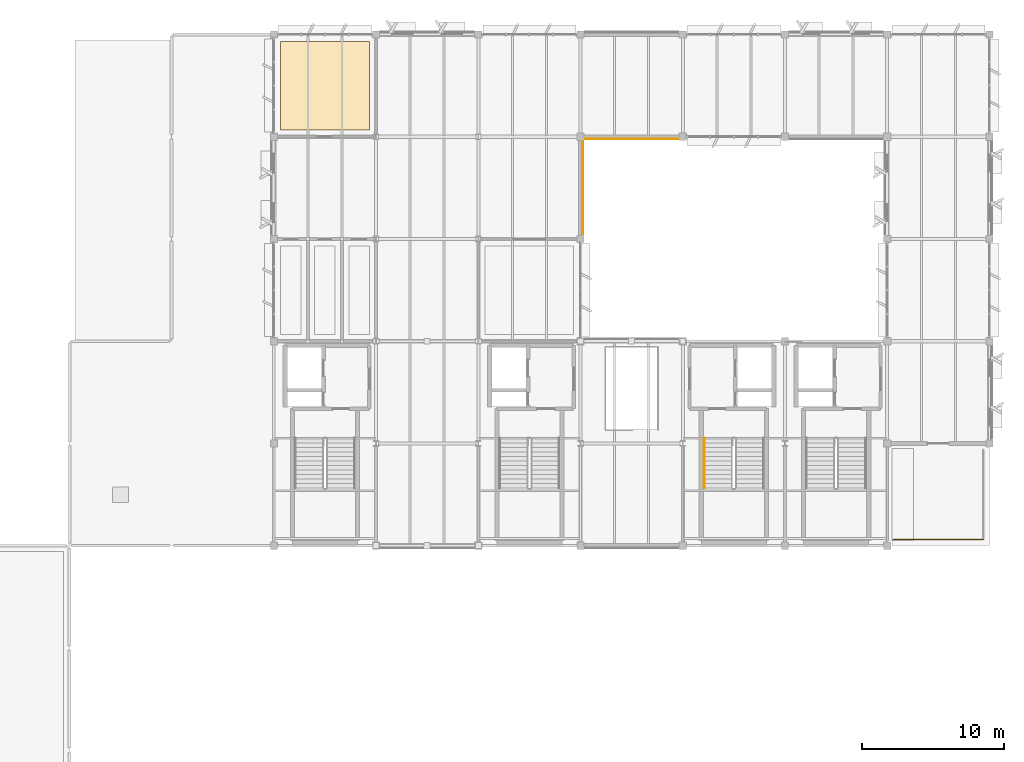
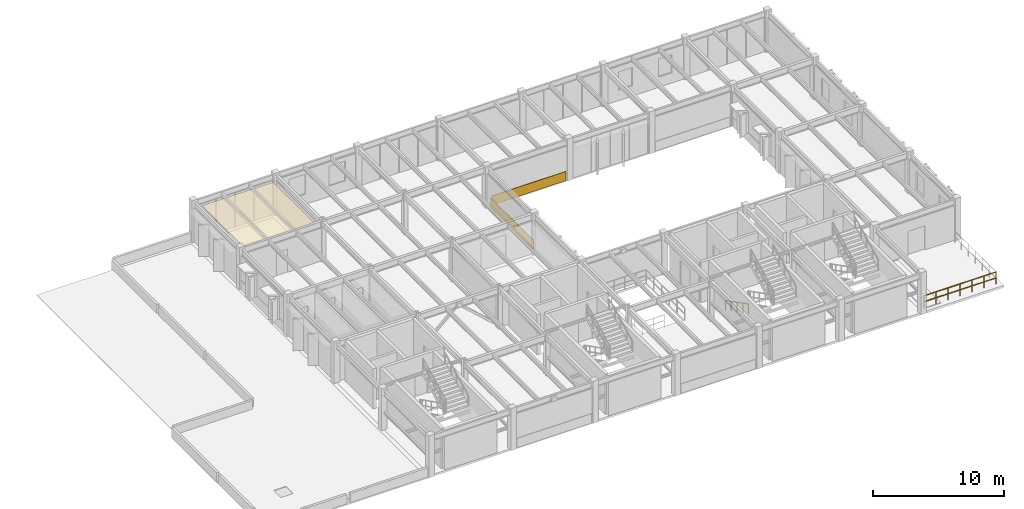
# One storey, part 21 of 23: 3 coverings, 2 railings.
"""IFC4 building model written with IfcOpenShell, lengths in metres."""

from ifc_helpers import new_model, si_unit, direction, frame, frame_2d, origin, origin_2d, place, context, subcontext, project, spatial, polyline, rectangle, circle, outline, extrude, material, layer, layer_set, type_object, element, save


model = new_model("IFC4")

# Units and contexts
model_context = context("Model", 3, precision=1e-05, world=origin(), true_north=direction((0.0, 1.0)))
body_context = subcontext(model_context, "Body", "Model", "MODEL_VIEW")
ifc_project = project(units=[si_unit("LENGTHUNIT", "METRE"), si_unit("AREAUNIT", "SQUARE_METRE"), si_unit("VOLUMEUNIT", "CUBIC_METRE"), si_unit("PLANEANGLEUNIT", "RADIAN"), si_unit("MASSUNIT", "GRAM", prefix="KILO")], contexts=[model_context])

# Site, building, storey
site_placement = place(None, origin())
site = spatial("IfcSite", under=ifc_project, at=site_placement, CompositionType="ELEMENT")
building_placement = place(site_placement, origin())
building = spatial("IfcBuilding", under=site, at=building_placement, Name="Sillqori Civic Hall", CompositionType="ELEMENT")
storey_placement = place(building_placement, frame((0.0, 0.0, 21.89990234375)))
storey = spatial("IfcBuildingStorey", under=building, at=storey_placement, Name="L06", CompositionType="ELEMENT", Elevation=21.89990234375)

# Coverings
ifc_material_1 = material(Name="Andean Cedar Slatted Baffle 46", Category="timber")
ifc_layer_1 = layer(ifc_material_1, 0.0458984375)
ifc_layer_set_1 = layer_set([ifc_layer_1], Name="Andean Cedar Slatted Baffle 46")
covering_type_1 = type_object("IfcCoveringType", Name="COV-CEIL-T46", PredefinedType="CEILING", material=ifc_layer_set_1)
covering_placement = place(storey_placement, frame((0.0, 0.0, 3.280029296875)))
element("IfcCovering", 1, at=covering_placement, inside=storey, type_object=covering_type_1, Name="Mayoral Executive Office Suite acoustic ceiling", PredefinedType="CEILING", context=body_context, shape_type="SweptSolid", body=[
    extrude(outline(polyline([(50.8798828125, 108.47998046875), (57.1201171875, 108.47998046875), (57.1201171875, 114.719970703125), (50.8798828125, 114.719970703125), (50.8798828125, 108.47998046875)])), origin(), (0.0, 0.0, 1.0), 0.046142578125),
])
ifc_material_2 = material(Name="Cochabamba Honed Limestone Cladding", Category="masonry")
ifc_layer_2 = layer(ifc_material_2, 0.044921875)
ifc_layer_set_2 = layer_set([ifc_layer_2], Name="Cochabamba Honed Limestone Cladding")
covering_type_2 = type_object("IfcCoveringType", Name="COV-CLAD-LIME", PredefinedType="CLADDING", material=ifc_layer_set_2)
for number, where, z_axis, x_axis, name in (
    (2, (72.159912109375, 107.669921875, 0.0400390625), (0.0, 0.0, 1.0), (0.0, -1.0, 0.0), "L06 limestone spandrel cladding L06-09-14-E"),
    (3, (78.8701171875, 107.840087890625, 0.0400390625), (0.0, 0.0, 1.0), (-1.0, 0.0, 0.0), "L06 limestone spandrel cladding L06-10-15-S"),
):
    element("IfcCovering", number, at=place(storey_placement, frame(where, z_axis=z_axis, x_axis=x_axis)), inside=storey, type_object=covering_type_2, Name=name, PredefinedType="CLADDING", context=body_context, shape_type="SweptSolid", body=[
        extrude(rectangle(XDim=6.5400390625, YDim=0.044921875, at=frame_2d((3.27001953125, 0.0))), origin(), (0.0, 0.0, 1.0), 0.860107421875),
    ])

# Railings
ifc_material_3 = material(Name="Architectural Bronze and Tempered Glass Balustrade", Category="glass")
ifc_layer_3 = layer(ifc_material_3, 0.080078125)
ifc_layer_set_3 = layer_set([ifc_layer_3], Name="Architectural Bronze and Tempered Glass Balustrade")
railing_type_1 = type_object("IfcRailingType", Name="RLG-BALU-115", PredefinedType="BALUSTRADE", material=ifc_layer_set_3)
railing_1_placement = place(storey_placement, frame((94.0400390625, 79.639892578125, 0.0)))
element("IfcRailing", 4, at=railing_1_placement, inside=storey, type_object=railing_type_1, Name="Mayoral East Setback Terrace perimeter guard S-01", PredefinedType="BALUSTRADE", context=body_context, shape_type="SweptSolid", body=[
    extrude(circle(Radius=0.02392578125, at=origin_2d()), frame((0.0, 0.0, 1.1259765625), z_axis=(1.0, 0.0, 0.0), x_axis=(0.0, 1.0, 0.0)), (0.0, 0.0, 1.0), 6.320068359375),
    extrude(circle(Radius=0.02392578125, at=origin_2d()), frame((0.0, 0.0, 0.574951171875), z_axis=(1.0, 0.0, 0.0), x_axis=(0.0, 1.0, 0.0)), (0.0, 0.0, 1.0), 6.320068359375),
    extrude(circle(Radius=0.02099609375, at=origin_2d()), origin(), (0.0, 0.0, 1.0), 1.101806640625),
    extrude(circle(Radius=0.02099609375, at=origin_2d()), frame((1.05322265625, 0.0, 0.0)), (0.0, 0.0, 1.0), 1.101806640625),
    extrude(circle(Radius=0.02099609375, at=origin_2d()), frame((2.106689453125, 0.0, 0.0)), (0.0, 0.0, 1.0), 1.101806640625),
    extrude(circle(Radius=0.02099609375, at=origin_2d()), frame((3.16015625, 0.0, 0.0)), (0.0, 0.0, 1.0), 1.101806640625),
    extrude(circle(Radius=0.02099609375, at=origin_2d()), frame((4.21337890625, 0.0, 0.0)), (0.0, 0.0, 1.0), 1.101806640625),
    extrude(circle(Radius=0.02099609375, at=origin_2d()), frame((5.2666015625, 0.0, 0.0)), (0.0, 0.0, 1.0), 1.101806640625),
    extrude(circle(Radius=0.02099609375, at=origin_2d()), frame((6.320068359375, 0.0, 0.0)), (0.0, 0.0, 1.0), 1.101806640625),
])
ifc_material_4 = material(Name="Brushed Stainless Steel 316 Handrail", Category="steel")
ifc_layer_4 = layer(ifc_material_4, 0.044921875)
ifc_layer_set_4 = layer_set([ifc_layer_4], Name="Brushed Stainless Steel 316 Handrail")
railing_type_2 = type_object("IfcRailingType", Name="RLG-CORE-092", PredefinedType="HANDRAIL", material=ifc_layer_set_4)
railing_2_placement = place(storey_placement, frame((80.7099609375, 86.77001953125, 0.16259765625)))
element("IfcRailing", 5, at=railing_2_placement, inside=storey, type_object=railing_type_2, Name="L06 ST-07 stair handrail 1", PredefinedType="HANDRAIL", context=body_context, shape_type="SweptSolid", body=[
    extrude(circle(Radius=0.02392578125, at=origin_2d()), frame((0.0, 0.0, 0.8759765625), z_axis=(0.0, -0.891614535321, 0.452795230103), x_axis=(1.0, 0.0, 0.0)), (0.0, 0.0, 1.0), 3.947998046875),
    extrude(circle(Radius=0.02099609375, at=origin_2d()), origin(), (0.0, 0.0, 1.0), 0.851806640625),
    extrude(circle(Radius=0.02099609375, at=origin_2d()), frame((0.0, -0.8798828125, 0.44677734375)), (0.0, 0.0, 1.0), 0.851806640625),
    extrude(circle(Radius=0.02099609375, at=origin_2d()), frame((0.0, -1.760009765625, 0.893798828125)), (0.0, 0.0, 1.0), 0.851806640625),
    extrude(circle(Radius=0.02099609375, at=origin_2d()), frame((0.0, -2.64013671875, 1.3408203125)), (0.0, 0.0, 1.0), 0.851806640625),
    extrude(circle(Radius=0.02099609375, at=origin_2d()), frame((0.0, -3.52001953125, 1.78759765625)), (0.0, 0.0, 1.0), 0.851806640625),
])

save(model, "model.ifc")
